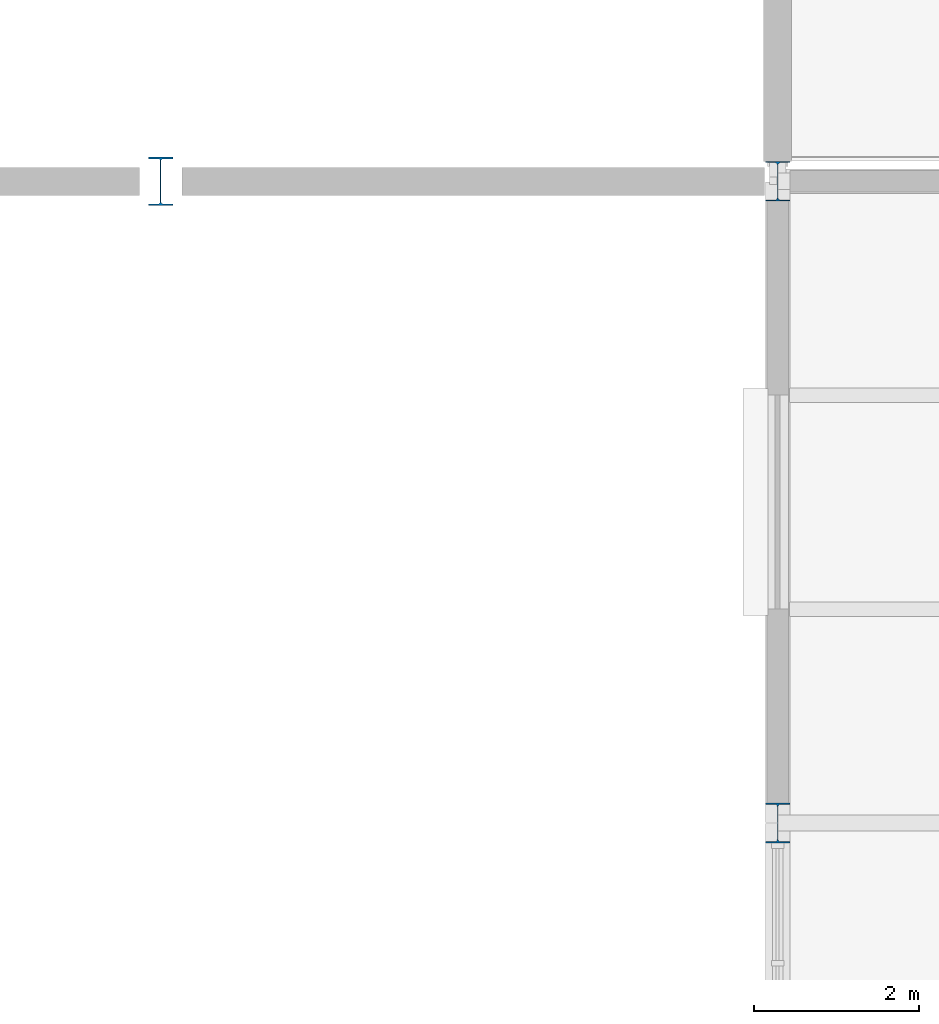
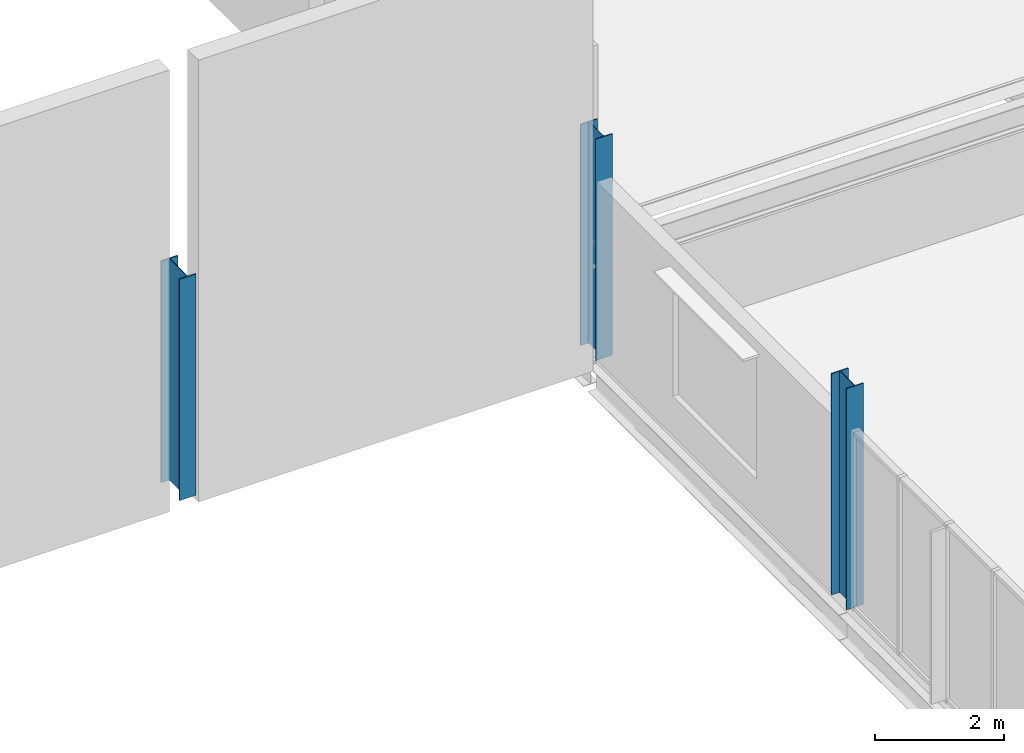
# One storey, part 6 of 45: 3 columns.
"""IFC4 building model written with IfcOpenShell, lengths in metres."""

from ifc_helpers import new_model, si_unit, direction, frame, origin, origin_2d, place, context, subcontext, project, spatial, i_section, extrude, material, material_profile, profile_set, type_object, element, save


model = new_model("IFC4")

# Units and contexts
model_context = context("Model", 3, precision=1e-05, world=origin(), true_north=direction((0.0, 1.0)))
body_context = subcontext(model_context, "Body", "Model", "MODEL_VIEW")
ifc_project = project(units=[si_unit("LENGTHUNIT", "METRE"), si_unit("AREAUNIT", "SQUARE_METRE"), si_unit("VOLUMEUNIT", "CUBIC_METRE"), si_unit("PLANEANGLEUNIT", "RADIAN"), si_unit("MASSUNIT", "GRAM", prefix="KILO")], contexts=[model_context])

# Site, building, storey
site_placement = place(None, origin())
site = spatial("IfcSite", under=ifc_project, at=site_placement, CompositionType="ELEMENT")
building_placement = place(site_placement, origin())
building = spatial("IfcBuilding", under=site, at=building_placement, Name="Yukiwa Park Conservatory and Herbarium", CompositionType="ELEMENT")
storey_placement = place(building_placement, frame((0.0, 0.0, 9.0)))
storey = spatial("IfcBuildingStorey", under=building, at=storey_placement, Name="L02", CompositionType="ELEMENT", Elevation=9.0)

# Columns
ifc_material_1 = material(Name="Steel Q355D", Category="steel")
ifc_material_profile_1 = material_profile(ifc_material_1, i_section(OverallWidth=0.300048828125, OverallDepth=0.587890625, WebThickness=0.011962890625, FlangeThickness=0.02001953125, FilletRadius=0.02392578125, at=origin_2d()), Name="HM 588x300x12x20")
ifc_profile_set_1 = profile_set([ifc_material_profile_1], Name="Steel Q355D")
column_type_1 = type_object("IfcColumnType", Name="COL-AU-HM588-EXT", PredefinedType="COLUMN", material=ifc_profile_set_1)
column_placement = place(storey_placement, frame((52.5, 78.0, 0.0), z_axis=(0.0, 0.0, 1.0), x_axis=(1.0, 0.0, 0.0)))
element("IfcColumn", 1, at=column_placement, inside=storey, type_object=column_type_1, Name="Auditorium L02 south clerestory column 6", PredefinedType="COLUMN", context=body_context, shape_type="SweptSolid", body=[
    extrude(i_section(OverallWidth=0.300048828125, OverallDepth=0.587890625, WebThickness=0.011962890625, FlangeThickness=0.02001953125, FilletRadius=0.02392578125, at=origin_2d()), origin(), (0.0, 0.0, 1.0), 4.199951171875),
])
ifc_material_2 = material(Name="Steel Q355D", Category="steel")
ifc_material_profile_2 = material_profile(ifc_material_2, i_section(OverallWidth=0.300048828125, OverallDepth=0.48193359375, WebThickness=0.010986328125, FlangeThickness=0.014892578125, FilletRadius=0.02392578125, at=origin_2d()), Name="HM 482x300x11x15")
ifc_profile_set_2 = profile_set([ifc_material_profile_2], Name="Steel Q355D")
column_type_2 = type_object("IfcColumnType", Name="COL-VS-HM482-EXT", PredefinedType="COLUMN", material=ifc_profile_set_2)
for number, where, z_axis, x_axis, name in (
    (2, (60.0, 70.199951171875, 0.0), (0.0, 0.0, 1.0), (1.0, 0.0, 0.0), "L02 column V3-X600-Y702"),
    (3, (60.0, 78.0, 0.0), (0.0, 0.0, 1.0), (1.0, 0.0, 0.0), "L02 column V3-X600-Y780"),
):
    element("IfcColumn", number, at=place(storey_placement, frame(where, z_axis=z_axis, x_axis=x_axis)), inside=storey, type_object=column_type_2, Name=name, PredefinedType="COLUMN", context=body_context, shape_type="SweptSolid", body=[
        extrude(i_section(OverallWidth=0.300048828125, OverallDepth=0.48193359375, WebThickness=0.010986328125, FlangeThickness=0.014892578125, FilletRadius=0.02392578125, at=origin_2d()), origin(), (0.0, 0.0, 1.0), 4.199951171875),
    ])

save(model, "model.ifc")
